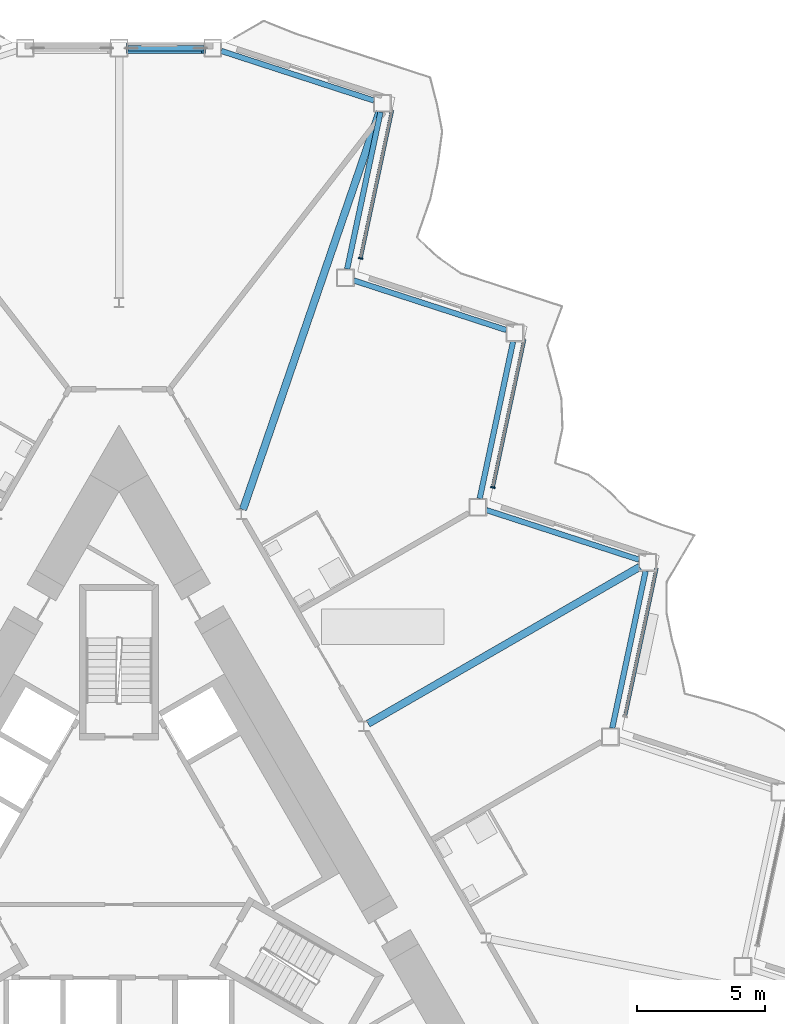
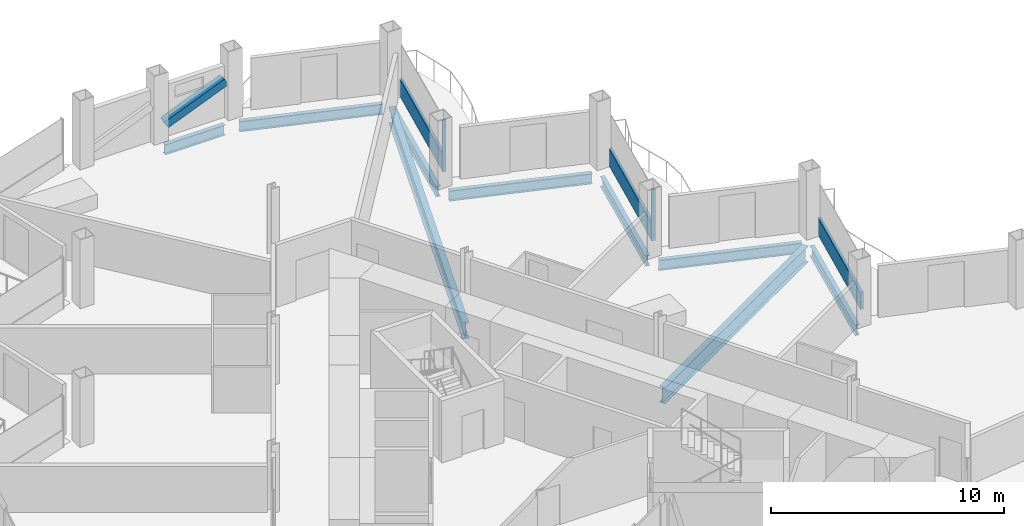
# One storey, part 9 of 23: 9 beams, 6 members, 3 elements without a shape of their own.
"""IFC4 building model written with IfcOpenShell, lengths in metres."""

from ifc_helpers import new_model, si_unit, direction, frame, origin, origin_2d, place, context, subcontext, project, spatial, rectangle, hollow_rectangle, i_section, extrude, material, layer, layer_set, material_profile, profile_set, type_object, element, aggregate, save


model = new_model("IFC4")

# Units and contexts
model_context = context("Model", 3, precision=1e-05, world=origin(), true_north=direction((0.0, 1.0)))
body_context = subcontext(model_context, "Body", "Model", "MODEL_VIEW")
ifc_project = project(units=[si_unit("LENGTHUNIT", "METRE"), si_unit("AREAUNIT", "SQUARE_METRE"), si_unit("VOLUMEUNIT", "CUBIC_METRE"), si_unit("PLANEANGLEUNIT", "RADIAN"), si_unit("MASSUNIT", "GRAM", prefix="KILO")], contexts=[model_context])

# Site, building, storey
site_placement = place(None, origin())
site = spatial("IfcSite", under=ifc_project, at=site_placement, CompositionType="ELEMENT")
building_placement = place(site_placement, origin())
building = spatial("IfcBuilding", under=site, at=building_placement, Name="Cormorant Prow Tower", CompositionType="ELEMENT")
storey_placement = place(building_placement, frame((0.0, 0.0, 245.39990234375)))
storey = spatial("IfcBuildingStorey", under=building, at=storey_placement, Name="L54", CompositionType="ELEMENT", Elevation=245.39990234375)

# Member
ifc_material_1 = material(Name="Structural steel ASTM A500 Gr C", Category="steel")
ifc_material_profile_1 = material_profile(ifc_material_1, hollow_rectangle(XDim=0.406494140625, YDim=0.406494140625, WallThickness=0.01171875, at=origin_2d()), Name="HSS16x16x1/2")
ifc_profile_set_1 = profile_set([ifc_material_profile_1], Name="Structural steel ASTM A500 Gr C")
member_type_1 = type_object("IfcMemberType", Name="Chamfer brace HSS16x16x1/2", PredefinedType="BRACE", material=ifc_profile_set_1)
member_1_placement = place(storey_placement, frame((0.36572265625, 32.073486328125, 0.74951171875), z_axis=(0.925591042089, 0.0, 0.37852506232), x_axis=(0.0, 1.0, 0.0)))
element("IfcMember", 1, at=member_1_placement, inside=storey, type_object=member_type_1, Name="Chamfer brace BR2 at N00 L54", PredefinedType="BRACE", context=body_context, shape_type="SweptSolid", body=[
    extrude(hollow_rectangle(XDim=0.406494140625, YDim=0.406494140625, WallThickness=0.01171875, at=origin_2d()), origin(), (0.0, 0.0, 1.0), 3.17529296875),
])

# Curtain wall, member
ifc_material_2 = material(Name="Aluminium 6063-T6", Category="aluminium")
ifc_layer = layer(ifc_material_2, 0.179931640625)
ifc_layer_set = layer_set([ifc_layer], Name="Aluminium 6063-T6")
curtain_wall_type = type_object("IfcCurtainWallType", Name="Hotel unitised curtain wall 180", PredefinedType="NOTDEFINED", material=ifc_layer_set)
curtain_wall_1_placement = place(storey_placement, origin())
curtain_wall_1 = element("IfcCurtainWall", 2, at=curtain_wall_1_placement, inside=storey, type_object=curtain_wall_type, Name="Hotel curtain wall ENE06", PredefinedType="NOTDEFINED")
ifc_material_3 = material(Name="Aluminium 6063-T6", Category="aluminium")
ifc_material_profile_2 = material_profile(ifc_material_3, rectangle(XDim=0.179931640625, YDim=0.06005859375, at=origin_2d()), Name="Hotel mullion 60x180")
ifc_profile_set_2 = profile_set([ifc_material_profile_2], Name="Aluminium 6063-T6")
member_type_2 = type_object("IfcMemberType", Name="Hotel mullion 60x180", PredefinedType="MULLION", material=ifc_profile_set_2)
member_2_placement = place(storey_placement, frame((14.633544921875, 14.880859375, 0.0), z_axis=(0.0, 0.0, 1.0), x_axis=(-0.978147570318, 0.207911833914, 0.0)))
member_2 = element("IfcMember", 3, at=member_2_placement, type_object=member_type_2, Name="Hotel mullion ENE06", PredefinedType="MULLION", context=body_context, shape_type="SweptSolid", body=[
    extrude(rectangle(XDim=0.179931640625, YDim=0.06005859375, at=origin_2d()), origin(), (0.0, 0.0, 1.0), 2.700927734375),
])

curtain_wall_2_placement = place(storey_placement, origin())
curtain_wall_2 = element("IfcCurtainWall", 4, at=curtain_wall_2_placement, inside=storey, type_object=curtain_wall_type, Name="Hotel curtain wall ENE08", PredefinedType="NOTDEFINED")
member_3_placement = place(storey_placement, frame((9.4580078125, 23.845458984375, 0.0), z_axis=(0.0, 0.0, 1.0), x_axis=(-0.978147605727, 0.207911667327, 0.0)))
member_3 = element("IfcMember", 5, at=member_3_placement, type_object=member_type_2, Name="Hotel mullion ENE08", PredefinedType="MULLION", context=body_context, shape_type="SweptSolid", body=[
    extrude(rectangle(XDim=0.179931640625, YDim=0.06005859375, at=origin_2d()), origin(), (0.0, 0.0, 1.0), 2.700927734375),
])

curtain_wall_3_placement = place(storey_placement, origin())
curtain_wall_3 = element("IfcCurtainWall", 6, at=curtain_wall_3_placement, inside=storey, type_object=curtain_wall_type, Name="Hotel curtain wall ENE04", PredefinedType="NOTDEFINED")
ifc_material_4 = material(Name="Terracotta", Category="masonry")
ifc_material_profile_3 = material_profile(ifc_material_4, rectangle(XDim=0.139892578125, YDim=0.89990234375, at=origin_2d()), Name="Hotel terracotta spandrel rail 140x900")
ifc_profile_set_3 = profile_set([ifc_material_profile_3], Name="Terracotta")
member_type_3 = type_object("IfcMemberType", Name="Hotel terracotta spandrel rail 140x900", PredefinedType="USERDEFINED", material=ifc_profile_set_3)
member_4_placement = place(storey_placement, frame((19.815673828125, 5.945556640625, 0.4501953125), z_axis=(0.20788200566, 0.978153910038, 0.0), x_axis=(-0.978153910038, 0.20788200566, 0.0)))
member_4 = element("IfcMember", 7, at=member_4_placement, type_object=member_type_3, Name="Hotel spandrel rail ENE04", ObjectType="TRANSOM", PredefinedType="USERDEFINED", context=body_context, shape_type="SweptSolid", body=[
    extrude(rectangle(XDim=0.139892578125, YDim=0.89990234375, at=origin_2d()), origin(), (0.0, 0.0, 1.0), 5.902587890625),
])
aggregate(curtain_wall_3, [member_4])

# Member
member_5_placement = place(storey_placement, frame((14.639892578125, 14.91015625, 0.4501953125), z_axis=(0.207921579045, 0.978145498874, 0.0), x_axis=(-0.978145498874, 0.207921579045, 0.0)))
member_5 = element("IfcMember", 8, at=member_5_placement, type_object=member_type_3, Name="Hotel spandrel rail ENE06", ObjectType="TRANSOM", PredefinedType="USERDEFINED", context=body_context, shape_type="SweptSolid", body=[
    extrude(rectangle(XDim=0.139892578125, YDim=0.89990234375, at=origin_2d()), origin(), (0.0, 0.0, 1.0), 5.902587890625),
])

aggregate(curtain_wall_1, [member_2, member_5])

member_6_placement = place(storey_placement, frame((9.464111328125, 23.874755859375, 0.4501953125), z_axis=(0.207921579045, 0.978145498874, 0.0), x_axis=(-0.978145498874, 0.207921579045, 0.0)))
member_6 = element("IfcMember", 9, at=member_6_placement, type_object=member_type_3, Name="Hotel spandrel rail ENE08", ObjectType="TRANSOM", PredefinedType="USERDEFINED", context=body_context, shape_type="SweptSolid", body=[
    extrude(rectangle(XDim=0.139892578125, YDim=0.89990234375, at=origin_2d()), origin(), (0.0, 0.0, 1.0), 5.902587890625),
])

aggregate(curtain_wall_2, [member_3, member_6])

# Beams
ifc_material_5 = material(Name="Structural steel ASTM A992 Gr 50", Category="steel")
ifc_material_profile_4 = material_profile(ifc_material_5, i_section(OverallWidth=0.29296875, OverallDepth=0.845703125, WebThickness=0.015380859375, FlangeThickness=0.0244140625, at=origin_2d()), Name="W33x141")
ifc_profile_set_4 = profile_set([ifc_material_profile_4], Name="Structural steel ASTM A992 Gr 50")
beam_type_1 = type_object("IfcBeamType", Name="Radial floor beam W33x141", PredefinedType="BEAM", material=ifc_profile_set_4)
beam_1_placement = place(storey_placement, frame((9.751220703125, 5.6298828125, -0.772705078125), z_axis=(0.866021995826, 0.500005902711, 0.0), x_axis=(-0.500005902711, 0.866021995826, 0.0)))
element("IfcBeam", 10, at=beam_1_placement, inside=storey, type_object=beam_type_1, Name="Radial floor beam FB2 11 L54", PredefinedType="BEAM", context=body_context, shape_type="SweptSolid", body=[
    extrude(i_section(OverallWidth=0.29296875, OverallDepth=0.845703125, WebThickness=0.015380859375, FlangeThickness=0.0244140625, at=origin_2d()), origin(), (0.0, 0.0, 1.0), 12.277099609375),
])
beam_2_placement = place(storey_placement, frame((4.85400390625, 14.013916015625, -0.772705078125), z_axis=(0.324535507117, 0.945873514071, 0.0), x_axis=(-0.945873514071, 0.324535507117, 0.0)))
element("IfcBeam", 11, at=beam_2_placement, inside=storey, type_object=beam_type_1, Name="Radial floor beam FB2 12 L54", PredefinedType="BEAM", context=body_context, shape_type="SweptSolid", body=[
    extrude(i_section(OverallWidth=0.29296875, OverallDepth=0.845703125, WebThickness=0.015380859375, FlangeThickness=0.0244140625, at=origin_2d()), origin(), (0.0, 0.0, 1.0), 16.462158203125),
])
ifc_material_6 = material(Name="Structural steel ASTM A992 Gr 50", Category="steel")
ifc_material_profile_5 = material_profile(ifc_material_6, i_section(OverallWidth=0.2138671875, OverallDepth=0.549072265625, WebThickness=0.0146484375, FlangeThickness=0.023681640625, at=origin_2d()), Name="W21x93")
ifc_profile_set_5 = profile_set([ifc_material_profile_5], Name="Structural steel ASTM A992 Gr 50")
beam_type_2 = type_object("IfcBeamType", Name="Spandrel beam W21x93", PredefinedType="SPANDREL", material=ifc_profile_set_5)
beam_3_placement = place(storey_placement, frame((19.307861328125, 5.456787109375, -0.62451171875), z_axis=(0.207933593793, 0.978142944856, 0.0), x_axis=(-0.978142944856, 0.207933593793, 0.0)))
element("IfcBeam", 12, at=beam_3_placement, inside=storey, type_object=beam_type_2, Name="Spandrel beam SB2 ENE04-ENE05 L54", PredefinedType="SPANDREL", context=body_context, shape_type="SweptSolid", body=[
    extrude(i_section(OverallWidth=0.2138671875, OverallDepth=0.549072265625, WebThickness=0.0146484375, FlangeThickness=0.023681640625, at=origin_2d()), origin(), (0.0, 0.0, 1.0), 6.281494140625),
])
beam_4_placement = place(storey_placement, frame((20.353759765625, 12.051513671875, -0.62451171875), z_axis=(-0.951050348284, 0.309035976918, 0.0), x_axis=(-0.309035976918, -0.951050348284, 0.0)))
element("IfcBeam", 13, at=beam_4_placement, inside=storey, type_object=beam_type_2, Name="Spandrel beam SB2 ENE05-ENE06 L54", PredefinedType="SPANDREL", context=body_context, shape_type="SweptSolid", body=[
    extrude(i_section(OverallWidth=0.2138671875, OverallDepth=0.549072265625, WebThickness=0.0146484375, FlangeThickness=0.023681640625, at=origin_2d()), origin(), (0.0, 0.0, 1.0), 6.28125),
])
beam_5_placement = place(storey_placement, frame((14.11962890625, 14.443115234375, -0.62451171875), z_axis=(0.207933593793, 0.978142944856, 0.0), x_axis=(-0.978142944856, 0.207933593793, 0.0)))
element("IfcBeam", 14, at=beam_5_placement, inside=storey, type_object=beam_type_2, Name="Spandrel beam SB2 ENE06-ENE07 L54", PredefinedType="SPANDREL", context=body_context, shape_type="SweptSolid", body=[
    extrude(i_section(OverallWidth=0.2138671875, OverallDepth=0.549072265625, WebThickness=0.0146484375, FlangeThickness=0.023681640625, at=origin_2d()), origin(), (0.0, 0.0, 1.0), 6.281494140625),
])
beam_6_placement = place(storey_placement, frame((15.16552734375, 21.037841796875, -0.62451171875), z_axis=(-0.951050348284, 0.309035976918, 0.0), x_axis=(-0.309035976918, -0.951050348284, 0.0)))
element("IfcBeam", 15, at=beam_6_placement, inside=storey, type_object=beam_type_2, Name="Spandrel beam SB2 ENE07-ENE08 L54", PredefinedType="SPANDREL", context=body_context, shape_type="SweptSolid", body=[
    extrude(i_section(OverallWidth=0.2138671875, OverallDepth=0.549072265625, WebThickness=0.0146484375, FlangeThickness=0.023681640625, at=origin_2d()), origin(), (0.0, 0.0, 1.0), 6.28125),
])
for number, where, z_axis, x_axis, name in (
    (16, (8.931396484375, 23.429443359375, -0.62451171875), (0.207896407679, 0.97815084914, 0.0), (-0.97815084914, 0.207896407679, 0.0), "Spandrel beam SB2 ENE08-ENE09 L54"),
    (17, (9.977294921875, 30.024169921875, -0.62451171875), (-0.951054060056, 0.309024553801, 0.0), (-0.309024553801, -0.951054060056, 0.0), "Spandrel beam SB2 ENE09-N00 L54"),
):
    element("IfcBeam", number, at=place(storey_placement, frame(where, z_axis=z_axis, x_axis=x_axis)), inside=storey, type_object=beam_type_2, Name=name, PredefinedType="SPANDREL", context=body_context, shape_type="SweptSolid", body=[
        extrude(i_section(OverallWidth=0.2138671875, OverallDepth=0.549072265625, WebThickness=0.0146484375, FlangeThickness=0.023681640625, at=origin_2d()), origin(), (0.0, 0.0, 1.0), 6.281494140625),
    ])
beam_7_placement = place(storey_placement, frame((3.3203125, 32.073486328125, -0.62451171875), z_axis=(-1.0, 0.0, 0.0), x_axis=(0.0, -1.0, 0.0)))
element("IfcBeam", 18, at=beam_7_placement, inside=storey, type_object=beam_type_2, Name="Spandrel beam SB2 N00-N01 L54", PredefinedType="SPANDREL", context=body_context, shape_type="SweptSolid", body=[
    extrude(i_section(OverallWidth=0.2138671875, OverallDepth=0.549072265625, WebThickness=0.0146484375, FlangeThickness=0.023681640625, at=origin_2d()), origin(), (0.0, 0.0, 1.0), 2.97021484375),
])

save(model, "model.ifc")
